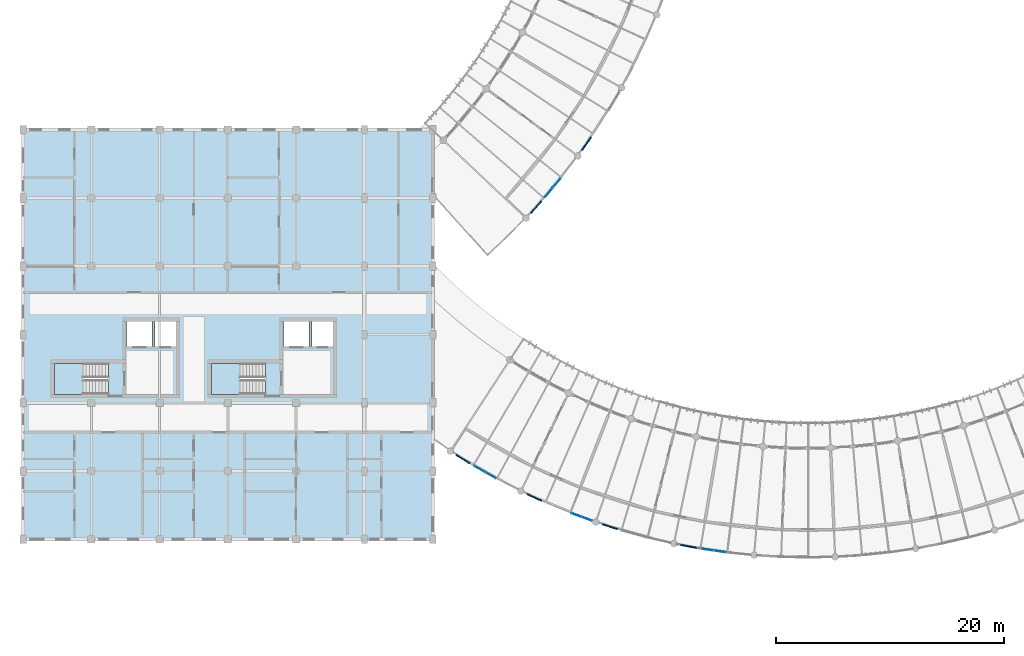
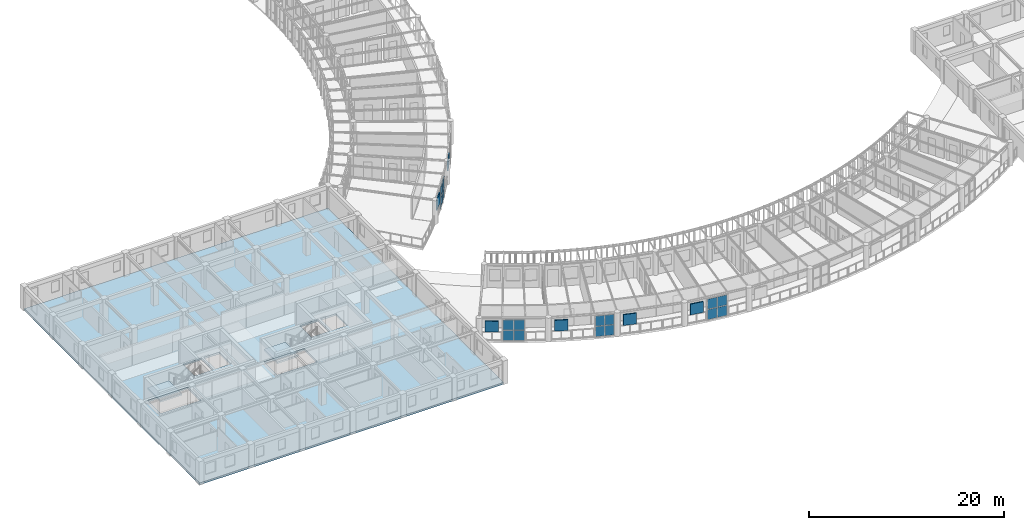
# One storey, part 44 of 100: 22 plates, 3 slabs, 6 elements without a shape of their own.
"""IFC4 building model written with IfcOpenShell, lengths in metres."""

from ifc_helpers import new_model, si_unit, direction, frame, origin, origin_2d, place, context, subcontext, project, spatial, polyline, rectangle, outline, extrude, material, layer, layer_set, type_object, element, aggregate, save


model = new_model("IFC4")

# Units and contexts
model_context = context("Model", 3, precision=1e-05, world=origin(), true_north=direction((0.0, 1.0)))
body_context = subcontext(model_context, "Body", "Model", "MODEL_VIEW")
ifc_project = project(units=[si_unit("LENGTHUNIT", "METRE"), si_unit("AREAUNIT", "SQUARE_METRE"), si_unit("VOLUMEUNIT", "CUBIC_METRE"), si_unit("PLANEANGLEUNIT", "RADIAN"), si_unit("MASSUNIT", "GRAM", prefix="KILO"), si_unit("POWERUNIT", "WATT"), si_unit("THERMODYNAMICTEMPERATUREUNIT", "KELVIN")], contexts=[model_context])

# Site, building, storey
site_placement = place(None, origin())
site = spatial("IfcSite", under=ifc_project, at=site_placement, CompositionType="ELEMENT")
building_placement = place(site_placement, origin())
building = spatial("IfcBuilding", under=site, at=building_placement, Name="Ruvembo Vaulted Housing Court", CompositionType="ELEMENT")
storey_placement = place(building_placement, frame((0.0, 0.0, 14.10009765625)))
storey = spatial("IfcBuildingStorey", under=building, at=storey_placement, Name="L04", CompositionType="ELEMENT", Elevation=14.10009765625)

# Curtain wall, plates
ifc_material_1 = material(Name="Anodised Aluminium and Solar-Control Glass", Category="aluminium")
ifc_layer_1 = layer(ifc_material_1, 0.1201171875, Name="Anodised Aluminium and Solar-Control Glass")
ifc_layer_set_1 = layer_set([ifc_layer_1], Name="Anodised Aluminium and Solar-Control Glass")
curtain_wall_type_1 = type_object("IfcCurtainWallType", Name="CW-SCOOP-GAL", PredefinedType="NOTDEFINED", material=ifc_layer_set_1)
curtain_wall_1_placement = place(storey_placement, origin())
curtain_wall_1 = element("IfcCurtainWall", 1, at=curtain_wall_1_placement, inside=storey, type_object=curtain_wall_type_1, Name="L04 Curtain Wall CW-L04-0021", PredefinedType="NOTDEFINED")
ifc_material_2 = material(Name="Solar-Control Laminated Insulating Glass", Category="glass")
ifc_layer_2 = layer(ifc_material_2, 0.035888671875, Name="Solar-Control Laminated Insulating Glass")
ifc_layer_set_2 = layer_set([ifc_layer_2], Name="Solar-Control Laminated Insulating Glass")
plate_type_1 = type_object("IfcPlateType", Name="CW-PANEL-ACOUST", PredefinedType="CURTAIN_PANEL", material=ifc_layer_set_2)
plate_1_placement = place(storey_placement, frame((46.207763671875, 36.468994140625, 0.06005859375), z_axis=(0.0, 0.0, 1.0), x_axis=(0.639868943167, 0.768484050303, 0.0)))
plate_1 = element("IfcPlate", 2, at=plate_1_placement, type_object=plate_type_1, Name="CW6 panel 1.1", PredefinedType="CURTAIN_PANEL", context=body_context, shape_type="SweptSolid", body=[
    extrude(rectangle(XDim=1.04833984375, YDim=0.035888671875, at=origin_2d()), origin(), (0.0, 0.0, 1.0), 1.259033203125),
])
plate_2_placement = place(storey_placement, frame((46.207763671875, 36.468994140625, 1.37890625), z_axis=(0.0, 0.0, 1.0), x_axis=(0.639868943167, 0.768484050303, 0.0)))
plate_2 = element("IfcPlate", 3, at=plate_2_placement, type_object=plate_type_1, Name="CW6 panel 1.2", PredefinedType="CURTAIN_PANEL", context=body_context, shape_type="SweptSolid", body=[
    extrude(rectangle(XDim=1.04833984375, YDim=0.035888671875, at=origin_2d()), origin(), (0.0, 0.0, 1.0), 1.259033203125),
])
plate_3_placement = place(storey_placement, frame((46.9169921875, 37.32080078125, 0.06005859375), z_axis=(0.0, 0.0, 1.0), x_axis=(0.639868943167, 0.768484050303, 0.0)))
plate_3 = element("IfcPlate", 4, at=plate_3_placement, type_object=plate_type_1, Name="CW6 panel 2.1", PredefinedType="CURTAIN_PANEL", context=body_context, shape_type="SweptSolid", body=[
    extrude(rectangle(XDim=1.04833984375, YDim=0.035888671875, at=origin_2d()), origin(), (0.0, 0.0, 1.0), 1.259033203125),
])
plate_4_placement = place(storey_placement, frame((46.9169921875, 37.32080078125, 1.37890625), z_axis=(0.0, 0.0, 1.0), x_axis=(0.639868943167, 0.768484050303, 0.0)))
plate_4 = element("IfcPlate", 5, at=plate_4_placement, type_object=plate_type_1, Name="CW6 panel 2.2", PredefinedType="CURTAIN_PANEL", context=body_context, shape_type="SweptSolid", body=[
    extrude(rectangle(XDim=1.04833984375, YDim=0.035888671875, at=origin_2d()), origin(), (0.0, 0.0, 1.0), 1.259033203125),
])
aggregate(curtain_wall_1, [plate_1, plate_2, plate_3, plate_4])

curtain_wall_2_placement = place(storey_placement, origin())
curtain_wall_2 = element("IfcCurtainWall", 6, at=curtain_wall_2_placement, inside=storey, type_object=curtain_wall_type_1, Name="L04 Curtain Wall CW-L04-0048", PredefinedType="NOTDEFINED")
plate_5_placement = place(storey_placement, frame((48.63916015625, 8.128173828125, 0.06005859375), z_axis=(0.0, 0.0, 1.0), x_axis=(0.939156254439, -0.343490217835, 0.0)))
plate_5 = element("IfcPlate", 7, at=plate_5_placement, type_object=plate_type_1, Name="CW6 panel 1.1", PredefinedType="CURTAIN_PANEL", context=body_context, shape_type="SweptSolid", body=[
    extrude(rectangle(XDim=0.923095703125, YDim=0.035888671875, at=origin_2d()), origin(), (0.0, 0.0, 1.0), 1.259033203125),
])
plate_6_placement = place(storey_placement, frame((48.63916015625, 8.128173828125, 1.37890625), z_axis=(0.0, 0.0, 1.0), x_axis=(0.939156254439, -0.343490217835, 0.0)))
plate_6 = element("IfcPlate", 8, at=plate_6_placement, type_object=plate_type_1, Name="CW6 panel 1.2", PredefinedType="CURTAIN_PANEL", context=body_context, shape_type="SweptSolid", body=[
    extrude(rectangle(XDim=0.923095703125, YDim=0.035888671875, at=origin_2d()), origin(), (0.0, 0.0, 1.0), 1.259033203125),
])
plate_7_placement = place(storey_placement, frame((49.562255859375, 7.79052734375, 0.06005859375), z_axis=(0.0, 0.0, 1.0), x_axis=(0.939156254439, -0.343490217835, 0.0)))
plate_7 = element("IfcPlate", 9, at=plate_7_placement, type_object=plate_type_1, Name="CW6 panel 2.1", PredefinedType="CURTAIN_PANEL", context=body_context, shape_type="SweptSolid", body=[
    extrude(rectangle(XDim=0.923095703125, YDim=0.035888671875, at=origin_2d()), origin(), (0.0, 0.0, 1.0), 1.259033203125),
])
plate_8_placement = place(storey_placement, frame((49.562255859375, 7.79052734375, 1.37890625), z_axis=(0.0, 0.0, 1.0), x_axis=(0.939156254439, -0.343490217835, 0.0)))
plate_8 = element("IfcPlate", 10, at=plate_8_placement, type_object=plate_type_1, Name="CW6 panel 2.2", PredefinedType="CURTAIN_PANEL", context=body_context, shape_type="SweptSolid", body=[
    extrude(rectangle(XDim=0.923095703125, YDim=0.035888671875, at=origin_2d()), origin(), (0.0, 0.0, 1.0), 1.259033203125),
])
aggregate(curtain_wall_2, [plate_5, plate_6, plate_7, plate_8])

curtain_wall_3_placement = place(storey_placement, origin())
curtain_wall_3 = element("IfcCurtainWall", 11, at=curtain_wall_3_placement, inside=storey, type_object=curtain_wall_type_1, Name="L04 Curtain Wall CW-L04-0047", PredefinedType="NOTDEFINED")
ifc_layer_3 = layer(ifc_material_2, 0.028076171875, Name="Solar-Control Laminated Insulating Glass")
ifc_layer_set_3 = layer_set([ifc_layer_3], Name="Solar-Control Laminated Insulating Glass")
plate_type_2 = type_object("IfcPlateType", Name="CW-PANEL-GLAZED", PredefinedType="CURTAIN_PANEL", material=ifc_layer_set_3)
plate_9_placement = place(storey_placement, frame((40.11962890625, 12.174560546875, 0.06005859375), z_axis=(0.0, 0.0, 1.0), x_axis=(0.869984489964, -0.493079088202, 0.0)))
plate_9 = element("IfcPlate", 12, at=plate_9_placement, type_object=plate_type_2, Name="CW6 panel 1.1", PredefinedType="CURTAIN_PANEL", context=body_context, shape_type="SweptSolid", body=[
    extrude(rectangle(XDim=1.055419921875, YDim=0.028076171875, at=origin_2d()), origin(), (0.0, 0.0, 1.0), 1.259033203125),
])
plate_10_placement = place(storey_placement, frame((40.11962890625, 12.174560546875, 1.37890625), z_axis=(0.0, 0.0, 1.0), x_axis=(0.869984489964, -0.493079088202, 0.0)))
plate_10 = element("IfcPlate", 13, at=plate_10_placement, type_object=plate_type_2, Name="CW6 panel 1.2", PredefinedType="CURTAIN_PANEL", context=body_context, shape_type="SweptSolid", body=[
    extrude(rectangle(XDim=1.055419921875, YDim=0.028076171875, at=origin_2d()), origin(), (0.0, 0.0, 1.0), 1.259033203125),
])
plate_11_placement = place(storey_placement, frame((41.085693359375, 11.626953125, 0.06005859375), z_axis=(0.0, 0.0, 1.0), x_axis=(0.869984489964, -0.493079088202, 0.0)))
plate_11 = element("IfcPlate", 14, at=plate_11_placement, type_object=plate_type_2, Name="CW6 panel 2.1", PredefinedType="CURTAIN_PANEL", context=body_context, shape_type="SweptSolid", body=[
    extrude(rectangle(XDim=1.055419921875, YDim=0.028076171875, at=origin_2d()), origin(), (0.0, 0.0, 1.0), 1.259033203125),
])
plate_12_placement = place(storey_placement, frame((41.085693359375, 11.626953125, 1.37890625), z_axis=(0.0, 0.0, 1.0), x_axis=(0.869984489964, -0.493079088202, 0.0)))
plate_12 = element("IfcPlate", 15, at=plate_12_placement, type_object=plate_type_2, Name="CW6 panel 2.2", PredefinedType="CURTAIN_PANEL", context=body_context, shape_type="SweptSolid", body=[
    extrude(rectangle(XDim=1.055419921875, YDim=0.028076171875, at=origin_2d()), origin(), (0.0, 0.0, 1.0), 1.259033203125),
])
aggregate(curtain_wall_3, [plate_9, plate_10, plate_11, plate_12])

ifc_layer_4 = layer(ifc_material_1, 0.139892578125, Name="Anodised Aluminium and Solar-Control Glass")
ifc_layer_set_4 = layer_set([ifc_layer_4], Name="Anodised Aluminium and Solar-Control Glass")
curtain_wall_type_2 = type_object("IfcCurtainWallType", Name="CW-SCOOP-PAN", PredefinedType="NOTDEFINED", material=ifc_layer_set_4)
curtain_wall_4_placement = place(storey_placement, origin())
curtain_wall_4 = element("IfcCurtainWall", 16, at=curtain_wall_4_placement, inside=storey, type_object=curtain_wall_type_2, Name="L04 Curtain Wall CW-L04-0049", PredefinedType="NOTDEFINED")
ifc_layer_5 = layer(ifc_material_2, 0.031982421875, Name="Solar-Control Laminated Insulating Glass")
ifc_layer_set_5 = layer_set([ifc_layer_5], Name="Solar-Control Laminated Insulating Glass")
plate_type_3 = type_object("IfcPlateType", Name="CW-PANEL-SOLAR", PredefinedType="CURTAIN_PANEL", material=ifc_layer_set_5)
plate_13_placement = place(storey_placement, frame((60.165771484375, 5.09130859375, 0.06494140625), z_axis=(0.0, 0.0, 1.0), x_axis=(0.989599407362, -0.143850661969, 0.0)))
plate_13 = element("IfcPlate", 17, at=plate_13_placement, type_object=plate_type_3, Name="CW10 panel 1.1", PredefinedType="CURTAIN_PANEL", context=body_context, shape_type="SweptSolid", body=[
    extrude(rectangle(XDim=1.048095703125, YDim=0.031982421875, at=origin_2d()), origin(), (0.0, 0.0, 1.0), 1.25146484375),
])
plate_14_placement = place(storey_placement, frame((60.165771484375, 5.09130859375, 1.38134765625), z_axis=(0.0, 0.0, 1.0), x_axis=(0.989599407362, -0.143850661969, 0.0)))
plate_14 = element("IfcPlate", 18, at=plate_14_placement, type_object=plate_type_3, Name="CW10 panel 1.2", PredefinedType="CURTAIN_PANEL", context=body_context, shape_type="SweptSolid", body=[
    extrude(rectangle(XDim=1.048095703125, YDim=0.031982421875, at=origin_2d()), origin(), (0.0, 0.0, 1.0), 1.25146484375),
])
plate_15_placement = place(storey_placement, frame((61.26220703125, 4.931884765625, 0.06494140625), z_axis=(0.0, 0.0, 1.0), x_axis=(0.989599407362, -0.143850661969, 0.0)))
plate_15 = element("IfcPlate", 19, at=plate_15_placement, type_object=plate_type_3, Name="CW10 panel 2.1", PredefinedType="CURTAIN_PANEL", context=body_context, shape_type="SweptSolid", body=[
    extrude(rectangle(XDim=1.048095703125, YDim=0.031982421875, at=origin_2d()), origin(), (0.0, 0.0, 1.0), 1.25146484375),
])
plate_16_placement = place(storey_placement, frame((61.26220703125, 4.931884765625, 1.38134765625), z_axis=(0.0, 0.0, 1.0), x_axis=(0.989599407362, -0.143850661969, 0.0)))
plate_16 = element("IfcPlate", 20, at=plate_16_placement, type_object=plate_type_3, Name="CW10 panel 2.2", PredefinedType="CURTAIN_PANEL", context=body_context, shape_type="SweptSolid", body=[
    extrude(rectangle(XDim=1.048095703125, YDim=0.031982421875, at=origin_2d()), origin(), (0.0, 0.0, 1.0), 1.25146484375),
])
aggregate(curtain_wall_4, [plate_13, plate_14, plate_15, plate_16])

# Plates
ifc_material_3 = material(Name="Perforated Glazed Ceramic Cobogo Block", Category="ceramic")
ifc_layer_6 = layer(ifc_material_3, 0.1201171875, Name="Perforated Glazed Ceramic Cobogo Block")
ifc_layer_set_6 = layer_set([ifc_layer_6], Name="Perforated Glazed Ceramic Cobogo Block")
plate_type_4 = type_object("IfcPlateType", Name="PL-COBOGO-120", PredefinedType="USERDEFINED", material=ifc_layer_set_6)
for number, where, z_axis, x_axis, name in (
    (21, (45.0888671875, 35.193115234375, 1.11962890625), (0.0, 0.0, 1.0), (0.670815024682, 0.741624704726, 0.0), "Scoop SC1 L04 Ceramic Cobogo Screen #19"),
    (22, (49.522216796875, 40.769775390625, 1.11962890625), (0.0, 0.0, 1.0), (0.574805323191, 0.818290193288, 0.0), "Scoop SC1 L04 Ceramic Cobogo Screen #20"),
    (23, (38.666748046875, 13.04833984375, 1.11962890625), (0.0, 0.0, 1.0), (0.848888670256, -0.528571684363, 0.0), "Scoop SC2 L04 Ceramic Cobogo Screen #55"),
    (24, (44.94140625, 9.678466796875, 1.11962890625), (0.0, 0.0, 1.0), (0.90764565898, -0.419737248448, 0.0), "Scoop SC2 L04 Ceramic Cobogo Screen #56"),
    (25, (51.58447265625, 7.108642578125, 1.11962890625), (0.0, 0.0, 1.0), (0.952523417345, -0.304465333674, 0.0), "Scoop SC2 L04 Ceramic Cobogo Screen #57"),
    (26, (58.493408203125, 5.378662109375, 1.11962890625), (0.0, 0.0, 1.0), (0.982816353606, -0.184586064165, 0.0), "Scoop SC2 L04 Ceramic Cobogo Screen #58"),
):
    element("IfcPlate", number, at=place(storey_placement, frame(where, z_axis=z_axis, x_axis=x_axis)), inside=storey, type_object=plate_type_4, Name=name, ObjectType="COBOGO_PANEL", PredefinedType="USERDEFINED", context=body_context, shape_type="SweptSolid", body=[
        extrude(rectangle(XDim=1.39990234375, YDim=0.1201171875, at=origin_2d()), origin(), (0.0, 0.0, 1.0), 1.360107421875),
    ])

# Slab
ifc_material_4 = material(Name="Concrete C30/37", Category="concrete")
ifc_layer_7 = layer(ifc_material_4, 0.239990234375, Name="Concrete C30/37")
ifc_layer_set_7 = layer_set([ifc_layer_7], Name="Concrete C30/37")
slab_type_1 = type_object("IfcSlabType", Name="SL-FLR-240", PredefinedType="FLOOR", material=ifc_layer_set_7)
slab_1_placement = place(storey_placement, frame((0.0, 0.0, -0.239990234375)))
element("IfcSlab", 27, at=slab_1_placement, inside=storey, type_object=slab_type_1, Name="Block A L04 Structural Floor Slab", PredefinedType="FLOOR", context=body_context, shape_type="SweptSolid", body=[
    extrude(outline(polyline([(36.0, 6.0), (36.0, 42.0), (0.0, 42.0), (0.0, 6.0), (36.0, 6.0)]), holes=[polyline([(7.5, 21.449951171875), (2.75, 21.449951171875), (2.75, 18.75), (7.5, 18.75), (7.5, 21.449951171875)]), polyline([(9.14990234375, 22.85009765625), (11.35009765625, 22.85009765625), (11.35009765625, 25.25), (9.14990234375, 25.25), (9.14990234375, 22.85009765625)]), polyline([(11.60009765625, 22.85009765625), (13.449951171875, 22.85009765625), (13.449951171875, 25.25), (11.60009765625, 25.25), (11.60009765625, 22.85009765625)]), polyline([(21.300048828125, 21.449951171875), (16.550048828125, 21.449951171875), (16.550048828125, 18.75), (21.300048828125, 18.75), (21.300048828125, 21.449951171875)]), polyline([(22.949951171875, 22.85009765625), (25.14990234375, 22.85009765625), (25.14990234375, 25.25), (22.949951171875, 25.25), (22.949951171875, 22.85009765625)]), polyline([(25.39990234375, 22.85009765625), (27.25, 22.85009765625), (27.25, 25.25), (25.39990234375, 25.25), (25.39990234375, 22.85009765625)])]), origin(), (0.0, 0.0, 1.0), 0.239990234375),
])

# Stair, slab
ifc_material_5 = material(Name="Concrete C35/45", Category="concrete")
stair_type = type_object("IfcStairType", Name="STR-CORE-1250", PredefinedType="HALF_TURN_STAIR", material=ifc_material_5)
stair_1_placement = place(storey_placement, origin())
stair_1 = element("IfcStair", 28, at=stair_1_placement, inside=storey, type_object=stair_type, Name="L04 Protected Exit Stair ST-A1", PredefinedType="HALF_TURN_STAIR")
ifc_layer_8 = layer(ifc_material_4, 0.201904296875, Name="Concrete C30/37")
ifc_layer_set_8 = layer_set([ifc_layer_8], Name="Concrete C30/37")
slab_type_2 = type_object("IfcSlabType", Name="SL-LAND-202", PredefinedType="LANDING", material=ifc_layer_set_8)
slab_2_placement = place(storey_placement, frame((0.0, 0.0, 1.39990234375)))
slab_2 = element("IfcSlab", 29, at=slab_2_placement, type_object=slab_type_2, Name="ST-A1 landing 1", PredefinedType="LANDING", context=body_context, shape_type="SweptSolid", body=[
    extrude(outline(polyline([(5.260009765625, 21.449951171875), (2.75, 21.449951171875), (2.75, 18.75), (5.260009765625, 18.75), (5.260009765625, 21.449951171875)])), origin(), (0.0, 0.0, 1.0), 0.199951171875),
])
aggregate(stair_1, [slab_2])

stair_2_placement = place(storey_placement, origin())
stair_2 = element("IfcStair", 30, at=stair_2_placement, inside=storey, type_object=stair_type, Name="L04 Protected Exit Stair ST-A2", PredefinedType="HALF_TURN_STAIR")
slab_3_placement = place(storey_placement, frame((0.0, 0.0, 1.39990234375)))
slab_3 = element("IfcSlab", 31, at=slab_3_placement, type_object=slab_type_2, Name="ST-A2 landing 1", PredefinedType="LANDING", context=body_context, shape_type="SweptSolid", body=[
    extrude(outline(polyline([(19.06005859375, 21.449951171875), (16.550048828125, 21.449951171875), (16.550048828125, 18.75), (19.06005859375, 18.75), (19.06005859375, 21.449951171875)])), origin(), (0.0, 0.0, 1.0), 0.199951171875),
])
aggregate(stair_2, [slab_3])

save(model, "model.ifc")
